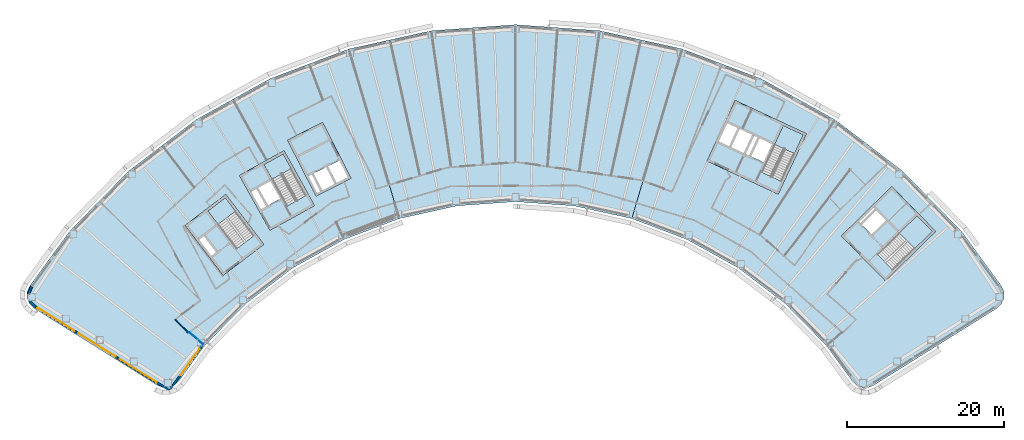
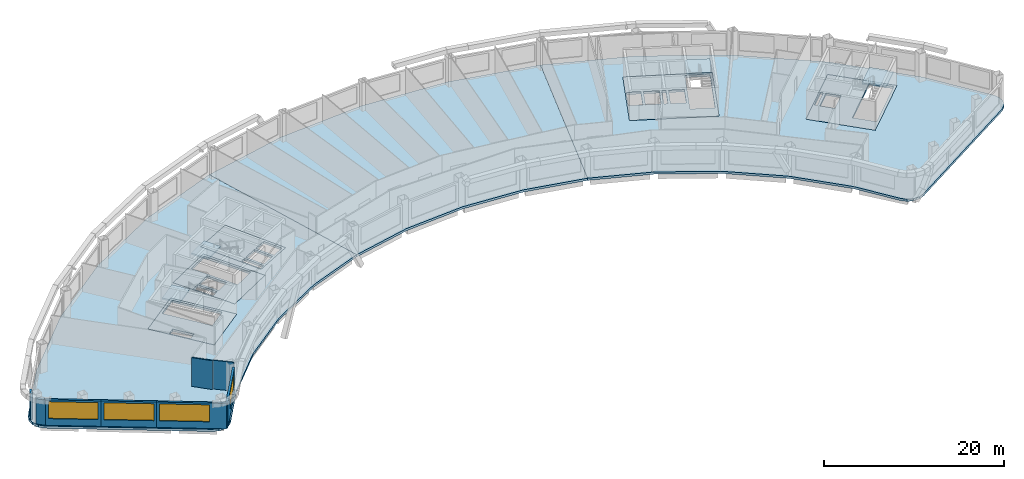
# One storey, part 4 of 16: 12 slabs, 8 walls, 4 windows, 4 openings, 4 elements without a shape of their own.
"""IFC4 building model written with IfcOpenShell, lengths in metres."""

from ifc_helpers import new_model, si_unit, direction, frame, frame_2d, origin, place, context, subcontext, project, spatial, polyline, rectangle, outline, extrude, material, layer, layer_set, type_object, element, fill, aggregate, save


model = new_model("IFC4")

# Units and contexts
model_context = context("Model", 3, precision=1e-05, world=origin(), true_north=direction((0.0, 1.0)))
body_context = subcontext(model_context, "Body", "Model", "MODEL_VIEW")
ifc_project = project(units=[si_unit("LENGTHUNIT", "METRE"), si_unit("AREAUNIT", "SQUARE_METRE"), si_unit("VOLUMEUNIT", "CUBIC_METRE"), si_unit("PLANEANGLEUNIT", "RADIAN"), si_unit("MASSUNIT", "GRAM", prefix="KILO")], contexts=[model_context])

# Site, building, storey
site_placement = place(None, origin())
site = spatial("IfcSite", under=ifc_project, at=site_placement, CompositionType="ELEMENT")
building_placement = place(site_placement, origin())
building = spatial("IfcBuilding", under=site, at=building_placement, Name="Tuul Gate Civic Tower", CompositionType="ELEMENT")
storey_placement = place(building_placement, frame((0.0, 0.0, 184.699951171875)))
storey = spatial("IfcBuildingStorey", under=building, at=storey_placement, Name="Level 42", CompositionType="ELEMENT", Elevation=184.699951171875)

# Slabs
ifc_material_1 = material(Name="Concrete C40/50", Category="concrete")
ifc_layer_1 = layer(ifc_material_1, 0.300048828125)
ifc_layer_set_1 = layer_set([ifc_layer_1], Name="Concrete C40/50")
slab_type_1 = type_object("IfcSlabType", Name="Core floor slab 300", PredefinedType="FLOOR", material=ifc_layer_set_1)
slab_1_placement = place(storey_placement, frame((0.0, 0.0, -0.300048828125)))
element("IfcSlab", 1, at=slab_1_placement, inside=storey, type_object=slab_type_1, Name="FLOOR SLAB", PredefinedType="FLOOR", context=body_context, shape_type="SweptSolid", body=[
    extrude(outline(polyline([(-31.10009765625, -13.7890625), (-35.946044921875, -7.423828125), (-41.11767578125, -11.361572265625), (-36.271484375, -17.726806640625), (-31.10009765625, -13.7890625)]), holes=[polyline([(-37.19287109375, -14.783203125), (-38.737548828125, -12.75439453125), (-39.45361328125, -13.299560546875), (-37.908935546875, -15.328369140625), (-37.19287109375, -14.783203125)]), polyline([(-32.33935546875, -12.65771484375), (-34.56591796875, -14.352783203125), (-38.229736328125, -9.54052734375), (-36.003173828125, -7.845458984375), (-32.33935546875, -12.65771484375)])]), origin(), (0.0, 0.0, 1.0), 0.300048828125),
])
slab_2_placement = place(storey_placement, frame((0.0, 0.0, -0.300048828125)))
element("IfcSlab", 2, at=slab_2_placement, inside=storey, type_object=slab_type_1, Name="FLOOR SLAB", PredefinedType="FLOOR", context=body_context, shape_type="SweptSolid", body=[
    extrude(outline(polyline([(-24.638916015625, -8.846923828125), (-28.51708984375, -1.849853515625), (-34.2021484375, -5.0009765625), (-30.32421875, -11.998046875), (-24.638916015625, -8.846923828125)]), holes=[polyline([(-29.0185546875, -7.958740234375), (-30.254638671875, -5.728515625), (-31.785400390625, -6.576904296875), (-30.54931640625, -8.80712890625), (-29.0185546875, -7.958740234375)]), polyline([(-30.8115234375, -8.95263671875), (-32.047607421875, -6.72216796875), (-32.8349609375, -7.158447265625), (-31.5986328125, -9.388916015625), (-30.8115234375, -8.95263671875)]), polyline([(-25.702392578125, -7.548828125), (-28.14990234375, -8.905517578125), (-31.08203125, -3.615234375), (-28.63427734375, -2.2587890625), (-25.702392578125, -7.548828125)])]), origin(), (0.0, 0.0, 1.0), 0.300048828125),
])
slab_3_placement = place(storey_placement, frame((0.0, 0.0, -0.300048828125)))
element("IfcSlab", 3, at=slab_3_placement, inside=storey, type_object=slab_type_1, Name="FLOOR SLAB", PredefinedType="FLOOR", context=body_context, shape_type="SweptSolid", body=[
    extrude(outline(polyline([(48.117919921875, -18.43310546875), (54.545166015625, -12.1328125), (48.945068359375, -6.419921875), (42.517822265625, -12.719970703125), (48.117919921875, -18.43310546875)]), holes=[polyline([(46.373779296875, -12.510986328125), (48.19482421875, -10.725830078125), (46.969970703125, -9.47607421875), (45.14892578125, -11.26123046875), (46.373779296875, -12.510986328125)]), polyline([(44.93896484375, -11.046875), (46.760009765625, -9.261962890625), (46.514892578125, -9.011962890625), (44.69384765625, -10.797119140625), (44.93896484375, -11.046875)]), polyline([(49.086181640625, -17.062744140625), (47.12744140625, -15.064208984375), (52.160888671875, -10.130126953125), (54.11962890625, -12.128662109375), (49.086181640625, -17.062744140625)])]), origin(), (0.0, 0.0, 1.0), 0.300048828125),
])
slab_4_placement = place(storey_placement, frame((0.0, 0.0, -0.300048828125)))
element("IfcSlab", 4, at=slab_4_placement, inside=storey, type_object=slab_type_1, Name="FLOOR SLAB", PredefinedType="FLOOR", context=body_context, shape_type="SweptSolid", body=[
    extrude(outline(polyline([(34.465087890625, -7.385986328125), (38.056884765625, 0.31787109375), (28.993896484375, 4.543701171875), (25.40185546875, -3.159912109375), (34.465087890625, -7.385986328125)]), holes=[polyline([(32.60888671875, -3.32080078125), (33.6865234375, -1.009765625), (32.1005859375, -0.27001953125), (31.02294921875, -2.581298828125), (32.60888671875, -3.32080078125)]), polyline([(30.0712890625, -2.137451171875), (31.14892578125, 0.173583984375), (29.562744140625, 0.9130859375), (28.4853515625, -1.39794921875), (30.0712890625, -2.137451171875)]), polyline([(30.751220703125, -2.454345703125), (31.82861328125, -0.143310546875), (31.4208984375, 0.046875), (30.34326171875, -2.264404296875), (30.751220703125, -2.454345703125)]), polyline([(28.21337890625, -1.27099609375), (29.291015625, 1.0400390625), (27.8408203125, 1.71630859375), (26.76318359375, -0.594970703125), (28.21337890625, -1.27099609375)]), polyline([(34.889892578125, -5.7626953125), (32.353759765625, -4.580078125), (35.120849609375, 1.354736328125), (37.6572265625, 0.17236328125), (34.889892578125, -5.7626953125)])]), origin(), (0.0, 0.0, 1.0), 0.300048828125),
])
ifc_material_2 = material(Name="Concrete C40/50", Category="concrete")
ifc_layer_2 = layer(ifc_material_2, 0.300048828125)
ifc_layer_set_2 = layer_set([ifc_layer_2], Name="Concrete C40/50")
slab_type_2 = type_object("IfcSlabType", Name="Core floor slab 300 non-bearing", PredefinedType="FLOOR", material=ifc_layer_set_2)
slab_5_placement = place(storey_placement, frame((0.0, 0.0, -0.300048828125)))
element("IfcSlab", 5, at=slab_5_placement, inside=storey, type_object=slab_type_2, Name="FLOOR SLAB", PredefinedType="FLOOR", context=body_context, shape_type="SweptSolid", body=[
    extrude(outline(polyline([(-19.98095703125, -5.365966796875), (-23.613037109375, 1.761962890625), (-28.068115234375, -0.508056640625), (-24.43603515625, -7.635986328125), (-19.98095703125, -5.365966796875)]), holes=[polyline([(-20.384521484375, -5.23486328125), (-21.47412109375, -3.096435546875), (-22.899658203125, -3.822998046875), (-21.81005859375, -5.961181640625), (-20.384521484375, -5.23486328125)]), polyline([(-22.077392578125, -6.097412109375), (-23.1669921875, -3.958984375), (-24.726318359375, -4.753662109375), (-23.63671875, -6.89208984375), (-22.077392578125, -6.097412109375)]), polyline([(-23.8359375, -7.161865234375), (-24.99365234375, -4.889892578125), (-25.5283203125, -5.162109375), (-24.37060546875, -7.434326171875), (-23.8359375, -7.161865234375)])]), origin(), (0.0, 0.0, 1.0), 0.300048828125),
])

# Stair, slab
ifc_material_3 = material(Name="Concrete C40/50", Category="concrete")
stair_type = type_object("IfcStairType", Name="Exit stair", PredefinedType="HALF_TURN_STAIR", material=ifc_material_3)
stair_1_placement = place(storey_placement, origin())
stair_1 = element("IfcStair", 6, at=stair_1_placement, inside=storey, type_object=stair_type, Name="Level 42 ST-1", PredefinedType="HALF_TURN_STAIR")
ifc_material_4 = material(Name="Concrete C40/50", Category="concrete")
ifc_layer_3 = layer(ifc_material_4, 0.199951171875)
ifc_layer_set_3 = layer_set([ifc_layer_3], Name="Concrete C40/50")
slab_type_3 = type_object("IfcSlabType", Name="Exit stair landing", PredefinedType="LANDING", material=ifc_layer_set_3)
slab_6_placement = place(storey_placement, frame((0.0, 0.0, 1.900146484375)))
slab_6 = element("IfcSlab", 7, at=slab_6_placement, type_object=slab_type_3, Name="ST-1 landing 1", PredefinedType="LANDING", context=body_context, shape_type="SweptSolid", body=[
    extrude(outline(polyline([(-34.699462890625, -9.554931640625), (-36.9287109375, -11.252197265625), (-38.23193359375, -9.540283203125), (-36.0029296875, -7.843017578125), (-34.699462890625, -9.554931640625)])), origin(), (0.0, 0.0, 1.0), 0.199951171875),
])
aggregate(stair_1, [slab_6])

stair_2_placement = place(storey_placement, origin())
stair_2 = element("IfcStair", 8, at=stair_2_placement, inside=storey, type_object=stair_type, Name="Level 42 ST-2", PredefinedType="HALF_TURN_STAIR")
slab_7_placement = place(storey_placement, frame((0.0, 0.0, 1.900146484375)))
slab_7 = element("IfcSlab", 9, at=slab_7_placement, type_object=slab_type_3, Name="ST-2 landing 1", PredefinedType="LANDING", context=body_context, shape_type="SweptSolid", body=[
    extrude(outline(polyline([(-27.5908203125, -4.138427734375), (-30.041015625, -5.49658203125), (-31.084228515625, -3.61474609375), (-28.6337890625, -2.256591796875), (-27.5908203125, -4.138427734375)])), origin(), (0.0, 0.0, 1.0), 0.199951171875),
])
aggregate(stair_2, [slab_7])

stair_3_placement = place(storey_placement, origin())
stair_3 = element("IfcStair", 10, at=stair_3_placement, inside=storey, type_object=stair_type, Name="Level 42 ST-3", PredefinedType="HALF_TURN_STAIR")
slab_8_placement = place(storey_placement, frame((0.0, 0.0, 1.900146484375)))
slab_8 = element("IfcSlab", 11, at=slab_8_placement, type_object=slab_type_3, Name="ST-3 landing 1", PredefinedType="LANDING", context=body_context, shape_type="SweptSolid", body=[
    extrude(outline(polyline([(51.871337890625, -14.3349609375), (49.91015625, -12.334228515625), (52.160888671875, -10.1279296875), (54.1220703125, -12.128662109375), (51.871337890625, -14.3349609375)])), origin(), (0.0, 0.0, 1.0), 0.199951171875),
])
aggregate(stair_3, [slab_8])

stair_4_placement = place(storey_placement, origin())
stair_4 = element("IfcStair", 12, at=stair_4_placement, inside=storey, type_object=stair_type, Name="Level 42 ST-4", PredefinedType="HALF_TURN_STAIR")
slab_9_placement = place(storey_placement, frame((0.0, 0.0, 1.900146484375)))
slab_9 = element("IfcSlab", 13, at=slab_9_placement, type_object=slab_type_3, Name="ST-4 landing 1", PredefinedType="LANDING", context=body_context, shape_type="SweptSolid", body=[
    extrude(outline(polyline([(36.538818359375, -2.230224609375), (33.999755859375, -1.046142578125), (35.1201171875, 1.35693359375), (37.659423828125, 0.173095703125), (36.538818359375, -2.230224609375)])), origin(), (0.0, 0.0, 1.0), 0.199951171875),
])
aggregate(stair_4, [slab_9])

# Slabs
ifc_material_5 = material(Name="Concrete C35/45", Category="concrete")
ifc_layer_4 = layer(ifc_material_5, 0.300048828125)
ifc_layer_set_4 = layer_set([ifc_layer_4], Name="Concrete C35/45")
slab_type_4 = type_object("IfcSlabType", Name="STR-FLOOR-SLAB-300", PredefinedType="FLOOR", material=ifc_layer_set_4)
slab_10_placement = place(storey_placement, frame((0.0, 0.0, -0.300048828125)))
element("IfcSlab", 14, at=slab_10_placement, inside=storey, type_object=slab_type_4, Name="Level 42/slab/W", PredefinedType="FLOOR", context=body_context, shape_type="SweptSolid", body=[
    extrude(outline(polyline([(-20.843994140625, -13.154052734375), (-13.823974609375, -10.4990234375), (-20.258056640625, 11.123046875), (-30.326904296875, 7.31494140625), (-39.740966796875, 2.096923828125), (-48.305908203125, -4.424072265625), (-55.841064453125, -12.111083984375), (-60.922119140625, -19.06689453125), (-61.258056640625, -19.81103515625), (-61.27001953125, -20.6259765625), (-60.955078125, -21.37890625), (-60.365966796875, -21.943115234375), (-44.635986328125, -31.77197265625), (-43.94189453125, -32.04296875), (-43.197021484375, -32.0400390625), (-42.5048828125, -31.764892578125), (-41.9609375, -31.256103515625), (-38.632080078125, -26.697998046875), (-33.37890625, -21.337890625), (-27.407958984375, -16.7919921875), (-20.843994140625, -13.154052734375)]), holes=[polyline([(-31.10009765625, -13.7890625), (-36.27197265625, -17.72705078125), (-41.117919921875, -11.362060546875), (-35.946044921875, -7.424072265625), (-31.10009765625, -13.7890625)]), polyline([(-24.638916015625, -8.846923828125), (-30.323974609375, -11.998046875), (-34.201904296875, -5.0009765625), (-28.51708984375, -1.85009765625), (-24.638916015625, -8.846923828125)]), polyline([(-24.43603515625, -7.635986328125), (-28.068115234375, -0.508056640625), (-23.613037109375, 1.761962890625), (-19.98095703125, -5.365966796875), (-24.43603515625, -7.635986328125)])]), origin(), (0.0, 0.0, 1.0), 0.300048828125),
])
slab_11_placement = place(storey_placement, frame((0.0, 0.0, -0.300048828125)))
element("IfcSlab", 15, at=slab_11_placement, inside=storey, type_object=slab_type_4, Name="Level 42/slab/M", PredefinedType="FLOOR", context=body_context, shape_type="SweptSolid", body=[
    extrude(outline(polyline([(15.803955078125, -10.4990234375), (22.238037109375, 11.123046875), (11.72607421875, 13.43994140625), (0.989990234375, 14.217041015625), (-9.74609375, 13.43994140625), (-20.258056640625, 11.123046875), (-13.823974609375, -10.4990234375), (-6.4951171875, -8.884033203125), (0.989990234375, -8.342041015625), (8.47509765625, -8.884033203125), (15.803955078125, -10.4990234375)])), origin(), (0.0, 0.0, 1.0), 0.300048828125),
])
slab_12_placement = place(storey_placement, frame((0.0, 0.0, -0.300048828125)))
element("IfcSlab", 16, at=slab_12_placement, inside=storey, type_object=slab_type_4, Name="Level 42/slab/E", PredefinedType="FLOOR", context=body_context, shape_type="SweptSolid", body=[
    extrude(outline(polyline([(45.922119140625, -32.04296875), (46.615966796875, -31.77197265625), (62.345947265625, -21.943115234375), (62.93505859375, -21.37890625), (63.25, -20.6259765625), (63.238037109375, -19.81103515625), (62.90087890625, -19.06689453125), (57.821044921875, -12.111083984375), (50.284912109375, -4.424072265625), (41.720947265625, 2.096923828125), (32.306884765625, 7.31494140625), (22.238037109375, 11.123046875), (15.803955078125, -10.4990234375), (22.823974609375, -13.154052734375), (29.387939453125, -16.7919921875), (35.35888671875, -21.337890625), (40.612060546875, -26.697998046875), (43.94091796875, -31.256103515625), (44.485107421875, -31.764892578125), (45.177001953125, -32.0400390625), (45.922119140625, -32.04296875)]), holes=[polyline([(48.117919921875, -18.43310546875), (42.51806640625, -12.719970703125), (48.945068359375, -6.419921875), (54.544921875, -12.133056640625), (48.117919921875, -18.43310546875)]), polyline([(25.402099609375, -3.159912109375), (28.993896484375, 4.5439453125), (38.056884765625, 0.318115234375), (34.465087890625, -7.385986328125), (25.402099609375, -3.159912109375)])]), origin(), (0.0, 0.0, 1.0), 0.300048828125),
])

# Walls
ifc_material_6 = material(Name="Gypsum board partition")
ifc_layer_5 = layer(ifc_material_6, 0.14990234375)
ifc_layer_set_5 = layer_set([ifc_layer_5], Name="Gypsum board partition")
wall_type_1 = type_object("IfcWallType", Name="Corridor wall P150", PredefinedType="PARTITIONING", material=ifc_layer_set_5)
wall_1_placement = place(storey_placement, frame((-42.405029296875, -23.3681640625, 0.0), z_axis=(0.0, 0.0, 1.0), x_axis=(0.706037915468, -0.708174033639, 0.0)))
element("IfcWall", 17, at=wall_1_placement, inside=storey, type_object=wall_type_1, Name="p060", PredefinedType="PARTITIONING", context=body_context, shape_type="SweptSolid", body=[
    extrude(rectangle(XDim=2.400146484375, YDim=0.14990234375, at=frame_2d((1.2001953125, 0.0))), origin(), (0.0, 0.0, 1.0), 3.900146484375),
])
ifc_material_7 = material(Name="Precast concrete C40/50", Category="concrete")
ifc_layer_6 = layer(ifc_material_7, 0.25)
ifc_layer_set_6 = layer_set([ifc_layer_6], Name="Precast concrete C40/50")
wall_type_2 = type_object("IfcWallType", Name="External wall", PredefinedType="STANDARD", material=ifc_layer_set_6)
wall_2_placement = place(storey_placement, frame((-60.686279296875, -19.207763671875, 0.0), z_axis=(0.0, 0.0, 1.0), x_axis=(-0.413528765966, -0.910491054167, 0.0)))
element("IfcWall", 18, at=wall_2_placement, inside=storey, type_object=wall_type_2, Name="External wall", PredefinedType="STANDARD", context=body_context, shape_type="SweptSolid", body=[
    extrude(rectangle(XDim=0.939208984375, YDim=0.25, at=frame_2d((0.4697265625, 0.0))), origin(), (0.0, 0.0, 1.0), 3.449951171875),
])
wall_3_placement = place(storey_placement, frame((-60.996826171875, -20.962890625, 0.0), z_axis=(0.0, 0.0, 1.0), x_axis=(0.722107994372, -0.691780344087, 0.0)))
element("IfcWall", 19, at=wall_3_placement, inside=storey, type_object=wall_type_2, Name="External wall", PredefinedType="STANDARD", context=body_context, shape_type="SweptSolid", body=[
    extrude(rectangle(XDim=1.102783203125, YDim=0.25, at=frame_2d((0.55126953125, 0.0))), origin(), (0.0, 0.0, 1.0), 3.449951171875),
])

# Wall, opening, window
wall_4_placement = place(storey_placement, frame((-60.220703125, -21.7099609375, 0.0), z_axis=(0.0, 0.0, 1.0), x_axis=(0.848042669488, -0.529927948619, 0.0)))
wall_4 = element("IfcWall", 20, at=wall_4_placement, inside=storey, type_object=wall_type_2, Name="External wall", PredefinedType="STANDARD", context=body_context, shape_type="SweptSolid", body=[
    extrude(rectangle(XDim=6.1826171875, YDim=0.25, at=frame_2d((3.09130859375, 0.0))), origin(), (0.0, 0.0, 1.0), 3.449951171875),
])
opening_1_placement = place(wall_4_placement, frame((0.31640625, 0.0, 0.89990234375)))
opening_1 = element("IfcOpeningElement", 21, at=opening_1_placement, cuts=wall_4, Name="Opening W24", PredefinedType="OPENING", context=body_context, shape_type="SweptSolid", body=[
    extrude(rectangle(XDim=5.550048828125, YDim=2.300048828125, at=frame_2d((2.77490234375, 1.14990234375))), frame((0.0, 0.135009765625, 0.0), z_axis=(0.0, -1.0, 0.0), x_axis=(1.0, 0.0, 0.0)), (0.0, 0.0, 1.0), 0.27001953125),
])
ifc_material_8 = material(Name="Glass", Category="glass")
window_type_1 = type_object("IfcWindowType", Name="Window W24 5550 x 2300", PartitioningType="SINGLE_PANEL", PredefinedType="WINDOW", material=ifc_material_8)
window_1_placement = place(opening_1_placement, origin())
window_1 = element("IfcWindow", 22, at=window_1_placement, inside=storey, type_object=window_type_1, Name="Window", OverallHeight=2.300048828125, OverallWidth=5.550048828125, PartitioningType="SINGLE_PANEL", PredefinedType="WINDOW", context=body_context, shape_type="SweptSolid", body=[
    extrude(rectangle(XDim=5.550048828125, YDim=2.300048828125, at=frame_2d((2.77490234375, 1.14990234375))), frame((0.0, 0.030029296875, 0.0), z_axis=(0.0, -1.0, 0.0), x_axis=(1.0, 0.0, 0.0)), (0.0, 0.0, 1.0), 0.06005859375),
])
fill(opening_1, window_1)

wall_5_placement = place(storey_placement, frame((-54.9775390625, -24.986328125, 0.0), z_axis=(0.0, 0.0, 1.0), x_axis=(0.848053758074, -0.529910203164, 0.0)))
wall_5 = element("IfcWall", 23, at=wall_5_placement, inside=storey, type_object=wall_type_2, Name="External wall", PredefinedType="STANDARD", context=body_context, shape_type="SweptSolid", body=[
    extrude(rectangle(XDim=6.182861328125, YDim=0.25, at=frame_2d((3.09130859375, 0.0))), origin(), (0.0, 0.0, 1.0), 3.449951171875),
])
opening_2_placement = place(wall_5_placement, frame((0.31640625, 0.0, 0.89990234375)))
opening_2 = element("IfcOpeningElement", 24, at=opening_2_placement, cuts=wall_5, Name="Opening W24", PredefinedType="OPENING", context=body_context, shape_type="SweptSolid", body=[
    extrude(rectangle(XDim=5.550048828125, YDim=2.300048828125, at=frame_2d((2.77490234375, 1.14990234375))), frame((0.0, 0.135009765625, 0.0), z_axis=(0.0, -1.0, 0.0), x_axis=(1.0, 0.0, 0.0)), (0.0, 0.0, 1.0), 0.27001953125),
])
window_2_placement = place(opening_2_placement, origin())
window_2 = element("IfcWindow", 25, at=window_2_placement, inside=storey, type_object=window_type_1, Name="Window", OverallHeight=2.300048828125, OverallWidth=5.550048828125, PartitioningType="SINGLE_PANEL", PredefinedType="WINDOW", context=body_context, shape_type="SweptSolid", body=[
    extrude(rectangle(XDim=5.550048828125, YDim=2.300048828125, at=frame_2d((2.77490234375, 1.14990234375))), frame((0.0, 0.030029296875, 0.0), z_axis=(0.0, -1.0, 0.0), x_axis=(1.0, 0.0, 0.0)), (0.0, 0.0, 1.0), 0.06005859375),
])
fill(opening_2, window_2)

wall_6_placement = place(storey_placement, frame((-49.734130859375, -28.2626953125, 0.0), z_axis=(0.0, 0.0, 1.0), x_axis=(0.848047613046, -0.52992003737, 0.0)))
wall_6 = element("IfcWall", 26, at=wall_6_placement, inside=storey, type_object=wall_type_2, Name="External wall", PredefinedType="STANDARD", context=body_context, shape_type="SweptSolid", body=[
    extrude(rectangle(XDim=7.787841796875, YDim=0.25, at=frame_2d((3.89404296875, 0.0))), origin(), (0.0, 0.0, 1.0), 3.449951171875),
])
opening_3_placement = place(wall_6_placement, frame((0.31640625, 0.0, 0.89990234375)))
opening_3 = element("IfcOpeningElement", 27, at=opening_3_placement, cuts=wall_6, Name="Opening W24", PredefinedType="OPENING", context=body_context, shape_type="SweptSolid", body=[
    extrude(rectangle(XDim=5.550048828125, YDim=2.300048828125, at=frame_2d((2.77490234375, 1.14990234375))), frame((0.0, 0.135009765625, 0.0), z_axis=(0.0, -1.0, 0.0), x_axis=(1.0, 0.0, 0.0)), (0.0, 0.0, 1.0), 0.27001953125),
])
window_3_placement = place(opening_3_placement, origin())
window_3 = element("IfcWindow", 28, at=window_3_placement, inside=storey, type_object=window_type_1, Name="Window", OverallHeight=2.300048828125, OverallWidth=5.550048828125, PartitioningType="SINGLE_PANEL", PredefinedType="WINDOW", context=body_context, shape_type="SweptSolid", body=[
    extrude(rectangle(XDim=5.550048828125, YDim=2.300048828125, at=frame_2d((2.77490234375, 1.14990234375))), frame((0.0, 0.030029296875, 0.0), z_axis=(0.0, -1.0, 0.0), x_axis=(1.0, 0.0, 0.0)), (0.0, 0.0, 1.0), 0.06005859375),
])
fill(opening_3, window_3)

wall_7_placement = place(storey_placement, frame((-43.129638671875, -32.3896484375, 0.0), z_axis=(0.0, 0.0, 1.0), x_axis=(0.589748783254, 0.807586758591, 0.0)))
wall_7 = element("IfcWall", 29, at=wall_7_placement, inside=storey, type_object=wall_type_2, Name="External wall", PredefinedType="STANDARD", context=body_context, shape_type="SweptSolid", body=[
    extrude(rectangle(XDim=6.97216796875, YDim=0.25, at=frame_2d((3.486083984375, 0.0))), origin(), (0.0, 0.0, 1.0), 3.449951171875),
])
opening_4_placement = place(wall_7_placement, frame((2.357666015625, 0.0, 0.89990234375)))
opening_4 = element("IfcOpeningElement", 30, at=opening_4_placement, cuts=wall_7, Name="Opening W25", PredefinedType="OPENING", context=body_context, shape_type="SweptSolid", body=[
    extrude(rectangle(XDim=4.14990234375, YDim=2.300048828125, at=frame_2d((2.074951171875, 1.14990234375))), frame((0.0, 0.135009765625, 0.0), z_axis=(0.0, -1.0, 0.0), x_axis=(1.0, 0.0, 0.0)), (0.0, 0.0, 1.0), 0.27001953125),
])
ifc_material_9 = material(Name="Glass", Category="glass")
window_type_2 = type_object("IfcWindowType", Name="Window W25 4150 x 2300", PartitioningType="SINGLE_PANEL", PredefinedType="WINDOW", material=ifc_material_9)
window_4_placement = place(opening_4_placement, origin())
window_4 = element("IfcWindow", 31, at=window_4_placement, inside=storey, type_object=window_type_2, Name="Window", OverallHeight=2.300048828125, OverallWidth=4.14990234375, PartitioningType="SINGLE_PANEL", PredefinedType="WINDOW", context=body_context, shape_type="SweptSolid", body=[
    extrude(rectangle(XDim=4.14990234375, YDim=2.300048828125, at=frame_2d((2.074951171875, 1.14990234375))), frame((0.0, 0.030029296875, 0.0), z_axis=(0.0, -1.0, 0.0), x_axis=(1.0, 0.0, 0.0)), (0.0, 0.0, 1.0), 0.06005859375),
])
fill(opening_4, window_4)

# Wall
ifc_material_10 = material(Name="Gypsum board partition")
ifc_layer_7 = layer(ifc_material_10, 0.10009765625)
ifc_layer_set_7 = layer_set([ifc_layer_7], Name="Gypsum board partition")
wall_type_3 = type_object("IfcWallType", Name="Partition P100", PredefinedType="PARTITIONING", material=ifc_layer_set_7)
wall_8_placement = place(storey_placement, frame((-40.6279296875, -25.006103515625, 0.0), z_axis=(0.0, 0.0, 1.0), x_axis=(0.76280943071, -0.646623362105, 0.0)))
element("IfcWall", 32, at=wall_8_placement, inside=storey, type_object=wall_type_3, Name="p059", PredefinedType="PARTITIONING", context=body_context, shape_type="SweptSolid", body=[
    extrude(rectangle(XDim=2.344970703125, YDim=0.10009765625, at=frame_2d((1.17236328125, 0.0))), origin(), (0.0, 0.0, 1.0), 3.900146484375),
])

save(model, "model.ifc")
